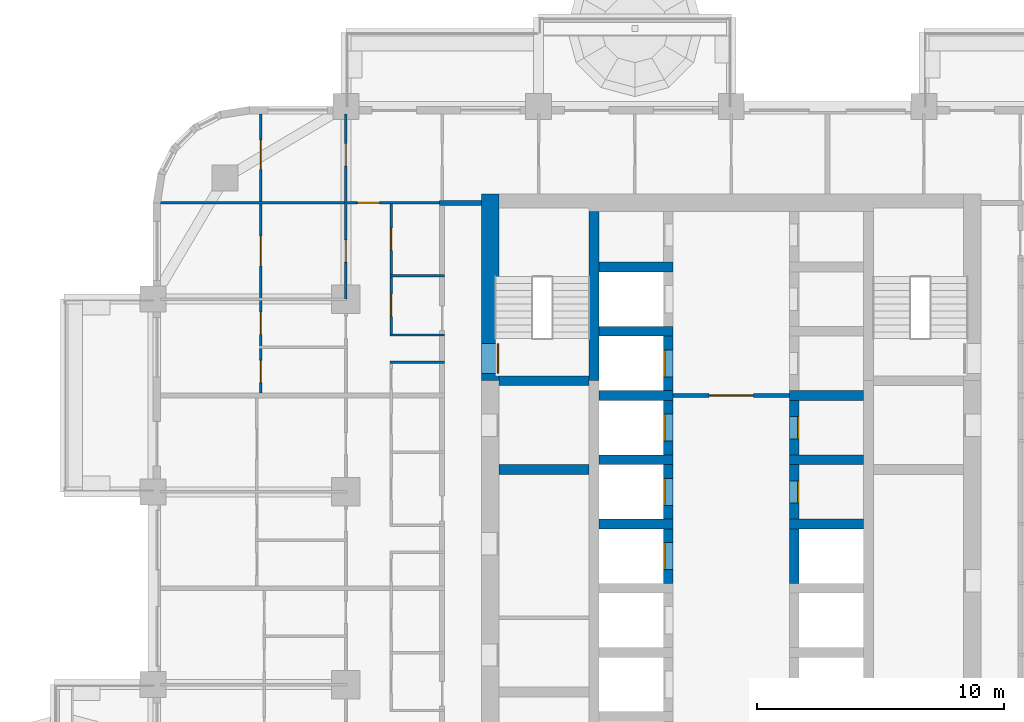
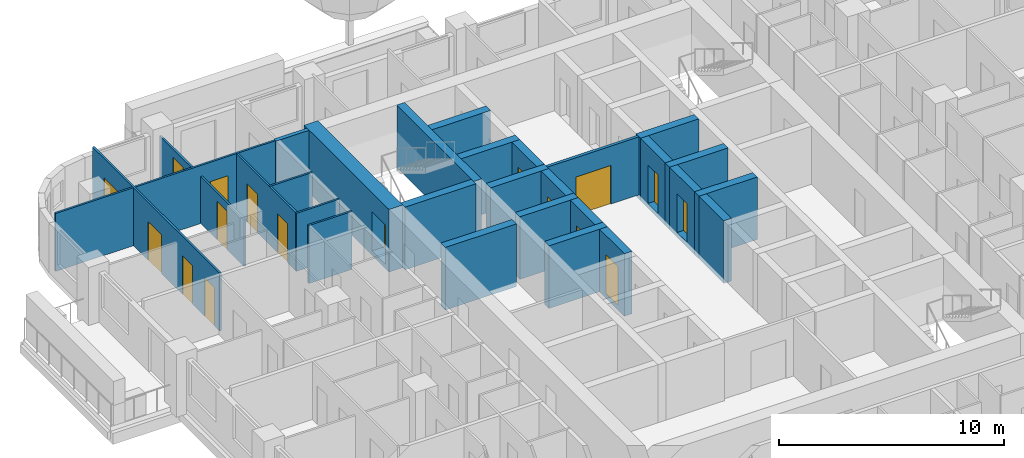
# One storey, part 10 of 18: 28 walls, 17 doors, 17 openings.
"""IFC4 building model written with IfcOpenShell, lengths in metres."""

from ifc_helpers import new_model, si_unit, direction, frame, frame_2d, origin, place, context, subcontext, project, spatial, rectangle, extrude, material, layer, layer_set, type_object, element, fill, save


model = new_model("IFC4")

# Units and contexts
model_context = context("Model", 3, precision=1e-05, world=origin(), true_north=direction((0.0, 1.0)))
body_context = subcontext(model_context, "Body", "Model", "MODEL_VIEW")
ifc_project = project(units=[si_unit("LENGTHUNIT", "METRE"), si_unit("AREAUNIT", "SQUARE_METRE"), si_unit("VOLUMEUNIT", "CUBIC_METRE"), si_unit("PLANEANGLEUNIT", "RADIAN"), si_unit("MASSUNIT", "GRAM", prefix="KILO")], contexts=[model_context])

# Site, building, storey
site_placement = place(None, origin())
site = spatial("IfcSite", under=ifc_project, at=site_placement, CompositionType="ELEMENT")
building_placement = place(site_placement, origin())
building = spatial("IfcBuilding", under=site, at=building_placement, Name="Ludao Terraces", CompositionType="ELEMENT")
storey_placement = place(building_placement, frame((0.0, 0.0, 26.300048828125)))
storey = spatial("IfcBuildingStorey", under=building, at=storey_placement, Name="L06", CompositionType="ELEMENT", Elevation=26.300048828125)

# Wall, opening, door
ifc_material_1 = material(Name="Concrete C70", Category="concrete")
ifc_layer_1 = layer(ifc_material_1, 0.699951171875)
ifc_layer_set_1 = layer_set([ifc_layer_1], Name="Core wall 700 C70")
wall_type_1 = type_object("IfcWallType", Name="Core wall 700 C70", PredefinedType="SOLIDWALL", material=ifc_layer_set_1)
wall_1_placement = place(storey_placement, frame((75.25, 77.300048828125, -0.25), z_axis=(0.0, 0.0, 1.0), x_axis=(0.0, 1.0, 0.0)))
wall_1 = element("IfcWall", 1, at=wall_1_placement, inside=storey, type_object=wall_type_1, Name="Core wall L06 outer-W-S1", PredefinedType="SOLIDWALL", context=body_context, shape_type="SweptSolid", body=[
    extrude(rectangle(XDim=7.550048828125, YDim=0.699951171875, at=frame_2d((3.77490234375, 0.0))), origin(), (0.0, 0.0, 1.0), 3.39990234375),
])
opening_1_placement = place(wall_1_placement, frame((0.300048828125, 0.0, 0.25)))
opening_1 = element("IfcOpeningElement", 2, at=opening_1_placement, cuts=wall_1, Name="Opening R01-127", PredefinedType="OPENING", context=body_context, shape_type="SweptSolid", body=[
    extrude(rectangle(XDim=1.199951171875, YDim=2.10009765625, at=frame_2d((0.60009765625, 1.050048828125))), frame((0.0, 0.35986328125, 0.0), z_axis=(0.0, -1.0, 0.0), x_axis=(1.0, 0.0, 0.0)), (0.0, 0.0, 1.0), 0.719970703125),
])
ifc_material_2 = material(Name="Steel Q235", Category="steel")
door_type_1 = type_object("IfcDoorType", Name="INT Stair door 1200", OperationType="DOUBLE_DOOR_SINGLE_SWING", PredefinedType="DOOR", material=ifc_material_2)
door_1_placement = place(opening_1_placement, origin())
door_1 = element("IfcDoor", 3, at=door_1_placement, inside=storey, type_object=door_type_1, Name="DOOR 127", OperationType="DOUBLE_DOOR_SINGLE_SWING", OverallHeight=2.10009765625, OverallWidth=1.199951171875, PredefinedType="DOOR", context=body_context, shape_type="SweptSolid", body=[
    extrude(rectangle(XDim=1.199951171875, YDim=2.10009765625, at=frame_2d((0.60009765625, 1.050048828125))), frame((0.0, -0.28515625, 0.0), z_axis=(0.0, -1.0, 0.0), x_axis=(1.0, 0.0, 0.0)), (0.0, 0.0, 1.0), 0.050048828125),
])
fill(opening_1, door_1)

ifc_material_3 = material(Name="Fire-rated gypsum plasterboard", Category="gypsum")
ifc_layer_2 = layer(ifc_material_3, 0.012451171875, Category="gypsum")
ifc_material_4 = material(Name="Mineral wool")
ifc_layer_3 = layer(ifc_material_4, 0.10009765625, Name="insulation")
ifc_layer_4 = layer(ifc_material_2, 0.02490234375, Name="stud")
ifc_layer_5 = layer(ifc_material_3, 0.012451171875, Category="gypsum")
ifc_layer_set_2 = layer_set([ifc_layer_2, ifc_layer_3, ifc_layer_4, ifc_layer_5], Name="INT Core partition 150")
wall_type_2 = type_object("IfcWallType", Name="INT Core partition 150", PredefinedType="PARTITIONING", material=ifc_layer_set_2)
wall_2_placement = place(storey_placement, frame((82.650146484375, 76.699951171875, 0.0), z_axis=(0.0, 0.0, 1.0), x_axis=(1.0, 0.0, 0.0)))
wall_2 = element("IfcWall", 4, at=wall_2_placement, inside=storey, type_object=wall_type_2, Name="PW-L06-PW058", PredefinedType="PARTITIONING", context=body_context, shape_type="SweptSolid", body=[
    extrude(rectangle(XDim=4.699951171875, YDim=0.14990234375, at=frame_2d((2.35009765625, 0.0))), origin(), (0.0, 0.0, 1.0), 3.14990234375),
])
opening_2_placement = place(wall_2_placement, frame((1.449951171875, 0.0, 0.0)))
opening_2 = element("IfcOpeningElement", 5, at=opening_2_placement, cuts=wall_2, Name="Opening R01-121", PredefinedType="OPENING", context=body_context, shape_type="SweptSolid", body=[
    extrude(rectangle(XDim=1.800048828125, YDim=2.10009765625, at=frame_2d((0.89990234375, 1.050048828125))), frame((0.0, 0.0849609375, 0.0), z_axis=(0.0, -1.0, 0.0), x_axis=(1.0, 0.0, 0.0)), (0.0, 0.0, 1.0), 0.169921875),
])
door_type_2 = type_object("IfcDoorType", Name="INT Fire lobby door 1800", OperationType="DOUBLE_DOOR_SINGLE_SWING", PredefinedType="DOOR", material=ifc_material_2)
door_2_placement = place(opening_2_placement, origin())
door_2 = element("IfcDoor", 6, at=door_2_placement, inside=storey, type_object=door_type_2, Name="DOOR 121", OperationType="DOUBLE_DOOR_SINGLE_SWING", OverallHeight=2.10009765625, OverallWidth=1.800048828125, PredefinedType="DOOR", context=body_context, shape_type="SweptSolid", body=[
    extrude(rectangle(XDim=1.800048828125, YDim=2.10009765625, at=frame_2d((0.89990234375, 1.050048828125))), frame((0.0, 0.02490234375, 0.0), z_axis=(0.0, -1.0, 0.0), x_axis=(1.0, 0.0, 0.0)), (0.0, 0.0, 1.0), 0.050048828125),
])
fill(opening_2, door_2)

# Walls
ifc_material_5 = material(Name="Autoclaved aerated concrete block B06 A3.5", Category="concrete")
ifc_layer_6 = layer(ifc_material_5, 0.199951171875)
ifc_layer_set_3 = layer_set([ifc_layer_6], Name="INT Entrance wall 200")
wall_type_3 = type_object("IfcWallType", Name="INT Entrance wall 200", PredefinedType="PARTITIONING", material=ifc_layer_set_3)
wall_3_placement = place(storey_placement, frame((73.2001953125, 84.5, 0.0), z_axis=(0.0, 0.0, 1.0), x_axis=(1.0, 0.0, 0.0)))
element("IfcWall", 7, at=wall_3_placement, inside=storey, type_object=wall_type_3, Name="PW-L06-PW070", PredefinedType="PARTITIONING", context=body_context, shape_type="SweptSolid", body=[
    extrude(rectangle(XDim=1.699951171875, YDim=0.199951171875, at=frame_2d((0.85009765625, 0.0))), origin(), (0.0, 0.0, 1.0), 3.14990234375),
])
ifc_material_6 = material(Name="Gypsum plasterboard", Category="gypsum")
ifc_layer_7 = layer(ifc_material_6, 0.012451171875, Category="gypsum")
ifc_layer_8 = layer(ifc_material_4, 0.06005859375, Name="insulation")
ifc_layer_9 = layer(ifc_material_2, 0.014892578125, Name="stud")
ifc_layer_10 = layer(ifc_material_6, 0.012451171875, Category="gypsum")
ifc_layer_set_4 = layer_set([ifc_layer_7, ifc_layer_8, ifc_layer_9, ifc_layer_10], Name="INT Partition 100")
wall_type_4 = type_object("IfcWallType", Name="INT Partition 100", PredefinedType="PARTITIONING", material=ifc_layer_set_4)
for number, where, z_axis, x_axis, name in (
    (8, (71.18017578125, 78.050048828125, 0.0), (0.0, 0.0, 1.0), (1.0, 0.0, 0.0), "PW-L06-PW060"),
    (9, (71.18017578125, 79.14990234375, 0.0), (0.0, 0.0, 1.0), (1.0, 0.0, 0.0), "PW-L06-PW063"),
    (10, (71.18017578125, 81.550048828125, 0.0), (0.0, 0.0, 1.0), (1.0, 0.0, 0.0), "PW-L06-PW067"),
):
    element("IfcWall", number, at=place(storey_placement, frame(where, z_axis=z_axis, x_axis=x_axis)), inside=storey, type_object=wall_type_4, Name=name, PredefinedType="PARTITIONING", context=body_context, shape_type="SweptSolid", body=[
        extrude(rectangle(XDim=2.219970703125, YDim=0.10009765625, at=frame_2d((1.10986328125, 0.0))), origin(), (0.0, 0.0, 1.0), 3.14990234375),
    ])

# Wall, opening, door
wall_4_placement = place(storey_placement, frame((61.900146484375, 84.5, 0.0), z_axis=(0.0, 0.0, 1.0), x_axis=(1.0, 0.0, 0.0)))
wall_4 = element("IfcWall", 11, at=wall_4_placement, inside=storey, type_object=wall_type_4, Name="PW-L06-PW069", PredefinedType="PARTITIONING", context=body_context, shape_type="SweptSolid", body=[
    extrude(rectangle(XDim=11.5, YDim=0.10009765625, at=frame_2d((5.75, 0.0))), origin(), (0.0, 0.0, 1.0), 3.14990234375),
])
opening_3_placement = place(wall_4_placement, frame((7.965087890625, 0.0, 0.0)))
opening_3 = element("IfcOpeningElement", 12, at=opening_3_placement, cuts=wall_4, Name="Opening R01-147", PredefinedType="OPENING", context=body_context, shape_type="SweptSolid", body=[
    extrude(rectangle(XDim=0.89990234375, YDim=2.10009765625, at=frame_2d((0.449951171875, 1.050048828125))), frame((0.0, 0.06005859375, 0.0), z_axis=(0.0, -1.0, 0.0), x_axis=(1.0, 0.0, 0.0)), (0.0, 0.0, 1.0), 0.1201171875),
])
ifc_material_7 = material(Name="Timber door leaf", Category="wood")
door_type_3 = type_object("IfcDoorType", Name="INT Room door 900", OperationType="SINGLE_SWING_LEFT", PredefinedType="DOOR", material=ifc_material_7)
door_3_placement = place(opening_3_placement, origin())
door_3 = element("IfcDoor", 13, at=door_3_placement, inside=storey, type_object=door_type_3, Name="DOOR 147", OperationType="SINGLE_SWING_RIGHT", OverallHeight=2.10009765625, OverallWidth=0.89990234375, PredefinedType="DOOR", context=body_context, shape_type="SweptSolid", body=[
    extrude(rectangle(XDim=0.89990234375, YDim=2.10009765625, at=frame_2d((0.449951171875, 1.050048828125))), frame((0.0, 0.02490234375, 0.0), z_axis=(0.0, -1.0, 0.0), x_axis=(1.0, 0.0, 0.0)), (0.0, 0.0, 1.0), 0.050048828125),
])
fill(opening_3, door_3)

# Wall, openings, doors
wall_5_placement = place(storey_placement, frame((65.949951171875, 76.800048828125, 0.0), z_axis=(0.0, 0.0, 1.0), x_axis=(0.0, 1.0, 0.0)))
wall_5 = element("IfcWall", 14, at=wall_5_placement, inside=storey, type_object=wall_type_4, Name="PW-L06-PW075", PredefinedType="PARTITIONING", context=body_context, shape_type="SweptSolid", body=[
    extrude(rectangle(XDim=11.300048828125, YDim=0.10009765625, at=frame_2d((5.64990234375, 0.0))), origin(), (0.0, 0.0, 1.0), 3.14990234375),
])
opening_4_placement = place(wall_5_placement, frame((0.425048828125, 0.0, 0.0)))
opening_4 = element("IfcOpeningElement", 15, at=opening_4_placement, cuts=wall_5, Name="Opening R01-123", PredefinedType="OPENING", context=body_context, shape_type="SweptSolid", body=[
    extrude(rectangle(XDim=0.89990234375, YDim=2.10009765625, at=frame_2d((0.449951171875, 1.050048828125))), frame((0.0, 0.06005859375, 0.0), z_axis=(0.0, -1.0, 0.0), x_axis=(1.0, 0.0, 0.0)), (0.0, 0.0, 1.0), 0.1201171875),
])
opening_5_placement = place(wall_5_placement, frame((2.375, 0.0, 0.0)))
opening_5 = element("IfcOpeningElement", 16, at=opening_5_placement, cuts=wall_5, Name="Opening R01-132", PredefinedType="OPENING", context=body_context, shape_type="SweptSolid", body=[
    extrude(rectangle(XDim=0.89990234375, YDim=2.10009765625, at=frame_2d((0.449951171875, 1.050048828125))), frame((0.0, 0.06005859375, 0.0), z_axis=(0.0, -1.0, 0.0), x_axis=(1.0, 0.0, 0.0)), (0.0, 0.0, 1.0), 0.1201171875),
])
opening_6_placement = place(wall_5_placement, frame((5.14990234375, 0.0, 0.0)))
opening_6 = element("IfcOpeningElement", 17, at=opening_6_placement, cuts=wall_5, Name="Opening R01-138", PredefinedType="OPENING", context=body_context, shape_type="SweptSolid", body=[
    extrude(rectangle(XDim=1.199951171875, YDim=2.10009765625, at=frame_2d((0.60009765625, 1.050048828125))), frame((0.0, 0.06005859375, 0.0), z_axis=(0.0, -1.0, 0.0), x_axis=(1.0, 0.0, 0.0)), (0.0, 0.0, 1.0), 0.1201171875),
])
opening_7_placement = place(wall_5_placement, frame((9.050048828125, 0.0, 0.0)))
opening_7 = element("IfcOpeningElement", 18, at=opening_7_placement, cuts=wall_5, Name="Opening R01-149", PredefinedType="OPENING", context=body_context, shape_type="SweptSolid", body=[
    extrude(rectangle(XDim=1.199951171875, YDim=2.10009765625, at=frame_2d((0.60009765625, 1.050048828125))), frame((0.0, 0.06005859375, 0.0), z_axis=(0.0, -1.0, 0.0), x_axis=(1.0, 0.0, 0.0)), (0.0, 0.0, 1.0), 0.1201171875),
])
door_type_4 = type_object("IfcDoorType", Name="INT Bathroom door 900", OperationType="SINGLE_SWING_LEFT", PredefinedType="DOOR", material=ifc_material_7)
door_4_placement = place(opening_4_placement, origin())
door_4 = element("IfcDoor", 19, at=door_4_placement, inside=storey, type_object=door_type_4, Name="DOOR 123", OperationType="SINGLE_SWING_RIGHT", OverallHeight=2.10009765625, OverallWidth=0.89990234375, PredefinedType="DOOR", context=body_context, shape_type="SweptSolid", body=[
    extrude(rectangle(XDim=0.89990234375, YDim=2.10009765625, at=frame_2d((0.449951171875, 1.050048828125))), frame((0.0, 0.02490234375, 0.0), z_axis=(0.0, -1.0, 0.0), x_axis=(1.0, 0.0, 0.0)), (0.0, 0.0, 1.0), 0.050048828125),
])
fill(opening_4, door_4)
door_type_5 = type_object("IfcDoorType", Name="INT Double door 1200", OperationType="DOUBLE_DOOR_SINGLE_SWING", PredefinedType="DOOR", material=ifc_material_7)
door_5_placement = place(opening_6_placement, origin())
door_5 = element("IfcDoor", 20, at=door_5_placement, inside=storey, type_object=door_type_5, Name="DOOR 138", OperationType="DOUBLE_DOOR_SINGLE_SWING", OverallHeight=2.10009765625, OverallWidth=1.199951171875, PredefinedType="DOOR", context=body_context, shape_type="SweptSolid", body=[
    extrude(rectangle(XDim=1.199951171875, YDim=2.10009765625, at=frame_2d((0.60009765625, 1.050048828125))), frame((0.0, 0.02490234375, 0.0), z_axis=(0.0, -1.0, 0.0), x_axis=(1.0, 0.0, 0.0)), (0.0, 0.0, 1.0), 0.050048828125),
])
fill(opening_6, door_5)
door_6_placement = place(opening_7_placement, origin())
door_6 = element("IfcDoor", 21, at=door_6_placement, inside=storey, type_object=door_type_5, Name="DOOR 149", OperationType="DOUBLE_DOOR_SINGLE_SWING", OverallHeight=2.10009765625, OverallWidth=1.199951171875, PredefinedType="DOOR", context=body_context, shape_type="SweptSolid", body=[
    extrude(rectangle(XDim=1.199951171875, YDim=2.10009765625, at=frame_2d((0.60009765625, 1.050048828125))), frame((0.0, 0.02490234375, 0.0), z_axis=(0.0, -1.0, 0.0), x_axis=(1.0, 0.0, 0.0)), (0.0, 0.0, 1.0), 0.050048828125),
])
fill(opening_7, door_6)
door_7_placement = place(opening_5_placement, origin())
door_7 = element("IfcDoor", 22, at=door_7_placement, inside=storey, type_object=door_type_3, Name="DOOR 132", OperationType="SINGLE_SWING_RIGHT", OverallHeight=2.10009765625, OverallWidth=0.89990234375, PredefinedType="DOOR", context=body_context, shape_type="SweptSolid", body=[
    extrude(rectangle(XDim=0.89990234375, YDim=2.10009765625, at=frame_2d((0.449951171875, 1.050048828125))), frame((0.0, 0.02490234375, 0.0), z_axis=(0.0, -1.0, 0.0), x_axis=(1.0, 0.0, 0.0)), (0.0, 0.0, 1.0), 0.050048828125),
])
fill(opening_5, door_7)

wall_6_placement = place(storey_placement, frame((69.39990234375, 80.60009765625, 0.0), z_axis=(0.0, 0.0, 1.0), x_axis=(0.0, 1.0, 0.0)))
wall_6 = element("IfcWall", 23, at=wall_6_placement, inside=storey, type_object=wall_type_4, Name="PW-L06-PW077-3", PredefinedType="PARTITIONING", context=body_context, shape_type="SweptSolid", body=[
    extrude(rectangle(XDim=7.5, YDim=0.10009765625, at=frame_2d((3.75, 0.0))), origin(), (0.0, 0.0, 1.0), 2.5498046875),
])
opening_8_placement = place(wall_6_placement, frame((1.5, 0.0, 0.0)))
opening_8 = element("IfcOpeningElement", 24, at=opening_8_placement, cuts=wall_6, Name="Opening R01-139", PredefinedType="OPENING", context=body_context, shape_type="SweptSolid", body=[
    extrude(rectangle(XDim=0.89990234375, YDim=2.10009765625, at=frame_2d((0.449951171875, 1.050048828125))), frame((0.0, 0.06005859375, 0.0), z_axis=(0.0, -1.0, 0.0), x_axis=(1.0, 0.0, 0.0)), (0.0, 0.0, 1.0), 0.1201171875),
])
opening_9_placement = place(wall_6_placement, frame((5.39990234375, 0.0, 0.0)))
opening_9 = element("IfcOpeningElement", 25, at=opening_9_placement, cuts=wall_6, Name="Opening R01-150", PredefinedType="OPENING", context=body_context, shape_type="SweptSolid", body=[
    extrude(rectangle(XDim=0.89990234375, YDim=2.10009765625, at=frame_2d((0.449951171875, 1.050048828125))), frame((0.0, 0.06005859375, 0.0), z_axis=(0.0, -1.0, 0.0), x_axis=(1.0, 0.0, 0.0)), (0.0, 0.0, 1.0), 0.1201171875),
])
door_8_placement = place(opening_8_placement, origin())
door_8 = element("IfcDoor", 26, at=door_8_placement, inside=storey, type_object=door_type_3, Name="DOOR 139", OperationType="SINGLE_SWING_LEFT", OverallHeight=2.10009765625, OverallWidth=0.89990234375, PredefinedType="DOOR", context=body_context, shape_type="SweptSolid", body=[
    extrude(rectangle(XDim=0.89990234375, YDim=2.10009765625, at=frame_2d((0.449951171875, 1.050048828125))), frame((0.0, 0.02490234375, 0.0), z_axis=(0.0, -1.0, 0.0), x_axis=(1.0, 0.0, 0.0)), (0.0, 0.0, 1.0), 0.050048828125),
])
fill(opening_8, door_8)
door_9_placement = place(opening_9_placement, origin())
door_9 = element("IfcDoor", 27, at=door_9_placement, inside=storey, type_object=door_type_3, Name="DOOR 150", OperationType="SINGLE_SWING_RIGHT", OverallHeight=2.10009765625, OverallWidth=0.89990234375, PredefinedType="DOOR", context=body_context, shape_type="SweptSolid", body=[
    extrude(rectangle(XDim=0.89990234375, YDim=2.10009765625, at=frame_2d((0.449951171875, 1.050048828125))), frame((0.0, 0.02490234375, 0.0), z_axis=(0.0, -1.0, 0.0), x_axis=(1.0, 0.0, 0.0)), (0.0, 0.0, 1.0), 0.050048828125),
])
fill(opening_9, door_9)

wall_7_placement = place(storey_placement, frame((71.22998046875, 79.2001953125, 0.0), z_axis=(0.0, 0.0, 1.0), x_axis=(0.0, 1.0, 0.0)))
wall_7 = element("IfcWall", 28, at=wall_7_placement, inside=storey, type_object=wall_type_4, Name="PW-L06-PW082", PredefinedType="PARTITIONING", context=body_context, shape_type="SweptSolid", body=[
    extrude(rectangle(XDim=5.25, YDim=0.10009765625, at=frame_2d((2.625, 0.0))), origin(), (0.0, 0.0, 1.0), 3.14990234375),
])
opening_10_placement = place(wall_7_placement, frame((0.699951171875, 0.0, 0.0)))
opening_10 = element("IfcOpeningElement", 29, at=opening_10_placement, cuts=wall_7, Name="Opening R01-135", PredefinedType="OPENING", context=body_context, shape_type="SweptSolid", body=[
    extrude(rectangle(XDim=0.89990234375, YDim=2.10009765625, at=frame_2d((0.449951171875, 1.050048828125))), frame((0.0, 0.06005859375, 0.0), z_axis=(0.0, -1.0, 0.0), x_axis=(1.0, 0.0, 0.0)), (0.0, 0.0, 1.0), 0.1201171875),
])
opening_11_placement = place(wall_7_placement, frame((3.375, 0.0, 0.0)))
opening_11 = element("IfcOpeningElement", 30, at=opening_11_placement, cuts=wall_7, Name="Opening R01-143", PredefinedType="OPENING", context=body_context, shape_type="SweptSolid", body=[
    extrude(rectangle(XDim=0.89990234375, YDim=2.10009765625, at=frame_2d((0.449951171875, 1.050048828125))), frame((0.0, 0.06005859375, 0.0), z_axis=(0.0, -1.0, 0.0), x_axis=(1.0, 0.0, 0.0)), (0.0, 0.0, 1.0), 0.1201171875),
])
door_10_placement = place(opening_10_placement, origin())
door_10 = element("IfcDoor", 31, at=door_10_placement, inside=storey, type_object=door_type_4, Name="DOOR 135", OperationType="SINGLE_SWING_RIGHT", OverallHeight=2.10009765625, OverallWidth=0.89990234375, PredefinedType="DOOR", context=body_context, shape_type="SweptSolid", body=[
    extrude(rectangle(XDim=0.89990234375, YDim=2.10009765625, at=frame_2d((0.449951171875, 1.050048828125))), frame((0.0, 0.02490234375, 0.0), z_axis=(0.0, -1.0, 0.0), x_axis=(1.0, 0.0, 0.0)), (0.0, 0.0, 1.0), 0.050048828125),
])
fill(opening_10, door_10)
door_11_placement = place(opening_11_placement, origin())
door_11 = element("IfcDoor", 32, at=door_11_placement, inside=storey, type_object=door_type_3, Name="DOOR 143", OperationType="SINGLE_SWING_RIGHT", OverallHeight=2.10009765625, OverallWidth=0.89990234375, PredefinedType="DOOR", context=body_context, shape_type="SweptSolid", body=[
    extrude(rectangle(XDim=0.89990234375, YDim=2.10009765625, at=frame_2d((0.449951171875, 1.050048828125))), frame((0.0, 0.02490234375, 0.0), z_axis=(0.0, -1.0, 0.0), x_axis=(1.0, 0.0, 0.0)), (0.0, 0.0, 1.0), 0.050048828125),
])
fill(opening_11, door_11)

# Wall
ifc_material_8 = material(Name="Concrete C60", Category="concrete")
ifc_layer_11 = layer(ifc_material_8, 0.39990234375)
ifc_layer_set_5 = layer_set([ifc_layer_11], Name="Shaft wall 400 C60")
wall_type_5 = type_object("IfcWallType", Name="Shaft wall 400 C60", PredefinedType="SOLIDWALL", material=ifc_layer_set_5)
wall_8_placement = place(storey_placement, frame((79.449951171875, 77.300048828125, -0.25), z_axis=(0.0, 0.0, 1.0), x_axis=(0.0, 1.0, 0.0)))
element("IfcWall", 33, at=wall_8_placement, inside=storey, type_object=wall_type_5, Name="Core wall L06 back-W-S1", PredefinedType="SOLIDWALL", context=body_context, shape_type="SweptSolid", body=[
    extrude(rectangle(XDim=6.849853515625, YDim=0.39990234375, at=frame_2d((3.4248046875, 0.0))), origin(), (0.0, 0.0, 1.0), 3.39990234375),
])

# Wall, opening, door
wall_9_placement = place(storey_placement, frame((82.449951171875, 69.10009765625, -0.25), z_axis=(0.0, 0.0, 1.0), x_axis=(0.0, 1.0, 0.0)))
wall_9 = element("IfcWall", 34, at=wall_9_placement, inside=storey, type_object=wall_type_5, Name="Core wall L06 front-W4", PredefinedType="SOLIDWALL", context=body_context, shape_type="SweptSolid", body=[
    extrude(rectangle(XDim=2.199951171875, YDim=0.39990234375, at=frame_2d((1.10009765625, 0.0))), origin(), (0.0, 0.0, 1.0), 3.39990234375),
])
opening_12_placement = place(wall_9_placement, frame((0.550048828125, 0.0, 0.25)))
opening_12 = element("IfcOpeningElement", 35, at=opening_12_placement, cuts=wall_9, Name="Opening LD-LA4", PredefinedType="OPENING", context=body_context, shape_type="SweptSolid", body=[
    extrude(rectangle(XDim=1.10009765625, YDim=2.10009765625, at=frame_2d((0.550048828125, 1.050048828125))), frame((0.0, 0.2099609375, 0.0), z_axis=(0.0, -1.0, 0.0), x_axis=(1.0, 0.0, 0.0)), (0.0, 0.0, 1.0), 0.419921875),
])
ifc_material_9 = material(Name="Stainless steel 304", Category="steel")
door_type_6 = type_object("IfcDoorType", Name="INT Lift landing door 1100", OperationType="SLIDING_TO_LEFT", PredefinedType="DOOR", material=ifc_material_9)
door_12_placement = place(opening_12_placement, origin())
door_12 = element("IfcDoor", 36, at=door_12_placement, inside=storey, type_object=door_type_6, Name="LANDING DOOR LA4 L06", OperationType="SLIDING_TO_LEFT", OverallHeight=2.10009765625, OverallWidth=1.10009765625, PredefinedType="DOOR", context=body_context, shape_type="SweptSolid", body=[
    extrude(rectangle(XDim=1.10009765625, YDim=2.10009765625, at=frame_2d((0.550048828125, 1.050048828125))), frame((0.0, 0.18505859375, 0.0), z_axis=(0.0, -1.0, 0.0), x_axis=(1.0, 0.0, 0.0)), (0.0, 0.0, 1.0), 0.050048828125),
])
fill(opening_12, door_12)

# Wall
wall_10_placement = place(storey_placement, frame((79.64990234375, 71.5, -0.25), z_axis=(0.0, 0.0, 1.0), x_axis=(1.0, 0.0, 0.0)))
element("IfcWall", 37, at=wall_10_placement, inside=storey, type_object=wall_type_5, Name="Core wall L06 div-W5", PredefinedType="SOLIDWALL", context=body_context, shape_type="SweptSolid", body=[
    extrude(rectangle(XDim=3.0, YDim=0.39990234375, at=frame_2d((1.5, 0.0))), origin(), (0.0, 0.0, 1.0), 3.39990234375),
])

# Wall, opening, door
wall_11_placement = place(storey_placement, frame((82.449951171875, 71.699951171875, -0.25), z_axis=(0.0, 0.0, 1.0), x_axis=(0.0, 1.0, 0.0)))
wall_11 = element("IfcWall", 38, at=wall_11_placement, inside=storey, type_object=wall_type_5, Name="Core wall L06 front-W5", PredefinedType="SOLIDWALL", context=body_context, shape_type="SweptSolid", body=[
    extrude(rectangle(XDim=2.199951171875, YDim=0.39990234375, at=frame_2d((1.10009765625, 0.0))), origin(), (0.0, 0.0, 1.0), 3.39990234375),
])
opening_13_placement = place(wall_11_placement, frame((0.550048828125, 0.0, 0.25)))
opening_13 = element("IfcOpeningElement", 39, at=opening_13_placement, cuts=wall_11, Name="Opening LD-LA5", PredefinedType="OPENING", context=body_context, shape_type="SweptSolid", body=[
    extrude(rectangle(XDim=1.10009765625, YDim=2.10009765625, at=frame_2d((0.550048828125, 1.050048828125))), frame((0.0, 0.2099609375, 0.0), z_axis=(0.0, -1.0, 0.0), x_axis=(1.0, 0.0, 0.0)), (0.0, 0.0, 1.0), 0.419921875),
])
door_13_placement = place(opening_13_placement, origin())
door_13 = element("IfcDoor", 40, at=door_13_placement, inside=storey, type_object=door_type_6, Name="LANDING DOOR LA5 L06", OperationType="SLIDING_TO_LEFT", OverallHeight=2.10009765625, OverallWidth=1.10009765625, PredefinedType="DOOR", context=body_context, shape_type="SweptSolid", body=[
    extrude(rectangle(XDim=1.10009765625, YDim=2.10009765625, at=frame_2d((0.550048828125, 1.050048828125))), frame((0.0, 0.18505859375, 0.0), z_axis=(0.0, -1.0, 0.0), x_axis=(1.0, 0.0, 0.0)), (0.0, 0.0, 1.0), 0.050048828125),
])
fill(opening_13, door_13)

# Wall
wall_12_placement = place(storey_placement, frame((79.64990234375, 74.10009765625, -0.25), z_axis=(0.0, 0.0, 1.0), x_axis=(1.0, 0.0, 0.0)))
element("IfcWall", 41, at=wall_12_placement, inside=storey, type_object=wall_type_5, Name="Core wall L06 div-W6", PredefinedType="SOLIDWALL", context=body_context, shape_type="SweptSolid", body=[
    extrude(rectangle(XDim=3.0, YDim=0.39990234375, at=frame_2d((1.5, 0.0))), origin(), (0.0, 0.0, 1.0), 3.39990234375),
])

# Wall, opening, door
wall_13_placement = place(storey_placement, frame((82.449951171875, 74.300048828125, -0.25), z_axis=(0.0, 0.0, 1.0), x_axis=(0.0, 1.0, 0.0)))
wall_13 = element("IfcWall", 42, at=wall_13_placement, inside=storey, type_object=wall_type_5, Name="Core wall L06 front-W6", PredefinedType="SOLIDWALL", context=body_context, shape_type="SweptSolid", body=[
    extrude(rectangle(XDim=2.199951171875, YDim=0.39990234375, at=frame_2d((1.10009765625, 0.0))), origin(), (0.0, 0.0, 1.0), 3.39990234375),
])
opening_14_placement = place(wall_13_placement, frame((0.550048828125, 0.0, 0.25)))
opening_14 = element("IfcOpeningElement", 43, at=opening_14_placement, cuts=wall_13, Name="Opening LD-LA6", PredefinedType="OPENING", context=body_context, shape_type="SweptSolid", body=[
    extrude(rectangle(XDim=1.10009765625, YDim=2.10009765625, at=frame_2d((0.550048828125, 1.050048828125))), frame((0.0, 0.2099609375, 0.0), z_axis=(0.0, -1.0, 0.0), x_axis=(1.0, 0.0, 0.0)), (0.0, 0.0, 1.0), 0.419921875),
])
door_14_placement = place(opening_14_placement, origin())
door_14 = element("IfcDoor", 44, at=door_14_placement, inside=storey, type_object=door_type_6, Name="LANDING DOOR LA6 L06", OperationType="SLIDING_TO_LEFT", OverallHeight=2.10009765625, OverallWidth=1.10009765625, PredefinedType="DOOR", context=body_context, shape_type="SweptSolid", body=[
    extrude(rectangle(XDim=1.10009765625, YDim=2.10009765625, at=frame_2d((0.550048828125, 1.050048828125))), frame((0.0, 0.18505859375, 0.0), z_axis=(0.0, -1.0, 0.0), x_axis=(1.0, 0.0, 0.0)), (0.0, 0.0, 1.0), 0.050048828125),
])
fill(opening_14, door_14)

# Wall
wall_14_placement = place(storey_placement, frame((79.64990234375, 76.699951171875, -0.25), z_axis=(0.0, 0.0, 1.0), x_axis=(1.0, 0.0, 0.0)))
element("IfcWall", 45, at=wall_14_placement, inside=storey, type_object=wall_type_5, Name="Core wall L06 div-W7", PredefinedType="SOLIDWALL", context=body_context, shape_type="SweptSolid", body=[
    extrude(rectangle(XDim=3.0, YDim=0.39990234375, at=frame_2d((1.5, 0.0))), origin(), (0.0, 0.0, 1.0), 3.39990234375),
])

# Wall, opening, door
wall_15_placement = place(storey_placement, frame((82.449951171875, 76.89990234375, -0.25), z_axis=(0.0, 0.0, 1.0), x_axis=(0.0, 1.0, 0.0)))
wall_15 = element("IfcWall", 46, at=wall_15_placement, inside=storey, type_object=wall_type_5, Name="Core wall L06 front-W7", PredefinedType="SOLIDWALL", context=body_context, shape_type="SweptSolid", body=[
    extrude(rectangle(XDim=2.2001953125, YDim=0.39990234375, at=frame_2d((1.10009765625, 0.0))), origin(), (0.0, 0.0, 1.0), 3.39990234375),
])
opening_15_placement = place(wall_15_placement, frame((0.550048828125, 0.0, 0.25)))
opening_15 = element("IfcOpeningElement", 47, at=opening_15_placement, cuts=wall_15, Name="Opening LD-FF1", PredefinedType="OPENING", context=body_context, shape_type="SweptSolid", body=[
    extrude(rectangle(XDim=1.10009765625, YDim=2.10009765625, at=frame_2d((0.550048828125, 1.050048828125))), frame((0.0, 0.2099609375, 0.0), z_axis=(0.0, -1.0, 0.0), x_axis=(1.0, 0.0, 0.0)), (0.0, 0.0, 1.0), 0.419921875),
])
door_15_placement = place(opening_15_placement, origin())
door_15 = element("IfcDoor", 48, at=door_15_placement, inside=storey, type_object=door_type_6, Name="LANDING DOOR FF1 L06", OperationType="SLIDING_TO_LEFT", OverallHeight=2.10009765625, OverallWidth=1.10009765625, PredefinedType="DOOR", context=body_context, shape_type="SweptSolid", body=[
    extrude(rectangle(XDim=1.10009765625, YDim=2.10009765625, at=frame_2d((0.550048828125, 1.050048828125))), frame((0.0, 0.18505859375, 0.0), z_axis=(0.0, -1.0, 0.0), x_axis=(1.0, 0.0, 0.0)), (0.0, 0.0, 1.0), 0.050048828125),
])
fill(opening_15, door_15)

# Walls
for number, where, z_axis, x_axis, name in (
    (49, (79.64990234375, 79.300048828125, -0.25), (0.0, 0.0, 1.0), (1.0, 0.0, 0.0), "Core wall L06 div-W8"),
    (50, (79.64990234375, 81.89990234375, -0.25), (0.0, 0.0, 1.0), (1.0, 0.0, 0.0), "Core wall L06 div-W9"),
):
    element("IfcWall", number, at=place(storey_placement, frame(where, z_axis=z_axis, x_axis=x_axis)), inside=storey, type_object=wall_type_5, Name=name, PredefinedType="SOLIDWALL", context=body_context, shape_type="SweptSolid", body=[
        extrude(rectangle(XDim=3.0, YDim=0.39990234375, at=frame_2d((1.5, 0.0))), origin(), (0.0, 0.0, 1.0), 3.39990234375),
    ])
wall_16_placement = place(storey_placement, frame((87.550048828125, 69.10009765625, -0.25), z_axis=(0.0, 0.0, 1.0), x_axis=(0.0, 1.0, 0.0)))
element("IfcWall", 51, at=wall_16_placement, inside=storey, type_object=wall_type_5, Name="Core wall L06 front-E4", PredefinedType="SOLIDWALL", context=body_context, shape_type="SweptSolid", body=[
    extrude(rectangle(XDim=2.199951171875, YDim=0.39990234375, at=frame_2d((1.10009765625, 0.0))), origin(), (0.0, 0.0, 1.0), 3.39990234375),
])
wall_17_placement = place(storey_placement, frame((87.35009765625, 71.5, -0.25), z_axis=(0.0, 0.0, 1.0), x_axis=(1.0, 0.0, 0.0)))
element("IfcWall", 52, at=wall_17_placement, inside=storey, type_object=wall_type_5, Name="Core wall L06 div-E5", PredefinedType="SOLIDWALL", context=body_context, shape_type="SweptSolid", body=[
    extrude(rectangle(XDim=3.0, YDim=0.39990234375, at=frame_2d((1.5, 0.0))), origin(), (0.0, 0.0, 1.0), 3.39990234375),
])

# Wall, opening, door
wall_18_placement = place(storey_placement, frame((87.550048828125, 71.699951171875, -0.25), z_axis=(0.0, 0.0, 1.0), x_axis=(0.0, 1.0, 0.0)))
wall_18 = element("IfcWall", 53, at=wall_18_placement, inside=storey, type_object=wall_type_5, Name="Core wall L06 front-E5", PredefinedType="SOLIDWALL", context=body_context, shape_type="SweptSolid", body=[
    extrude(rectangle(XDim=2.199951171875, YDim=0.39990234375, at=frame_2d((1.10009765625, 0.0))), origin(), (0.0, 0.0, 1.0), 3.39990234375),
])
opening_16_placement = place(wall_18_placement, frame((0.64990234375, 0.0, 0.25)))
opening_16 = element("IfcOpeningElement", 54, at=opening_16_placement, cuts=wall_18, Name="Opening R01-108", PredefinedType="OPENING", context=body_context, shape_type="SweptSolid", body=[
    extrude(rectangle(XDim=0.89990234375, YDim=2.10009765625, at=frame_2d((0.449951171875, 1.050048828125))), frame((0.0, 0.2099609375, 0.0), z_axis=(0.0, -1.0, 0.0), x_axis=(1.0, 0.0, 0.0)), (0.0, 0.0, 1.0), 0.419921875),
])
door_16_placement = place(opening_16_placement, origin())
door_16 = element("IfcDoor", 55, at=door_16_placement, inside=storey, type_object=door_type_3, Name="DOOR 108", OperationType="SINGLE_SWING_RIGHT", OverallHeight=2.10009765625, OverallWidth=0.89990234375, PredefinedType="DOOR", context=body_context, shape_type="SweptSolid", body=[
    extrude(rectangle(XDim=0.89990234375, YDim=2.10009765625, at=frame_2d((0.449951171875, 1.050048828125))), frame((0.0, -0.134765625, 0.0), z_axis=(0.0, -1.0, 0.0), x_axis=(1.0, 0.0, 0.0)), (0.0, 0.0, 1.0), 0.050048828125),
])
fill(opening_16, door_16)

# Wall
wall_19_placement = place(storey_placement, frame((87.35009765625, 74.10009765625, -0.25), z_axis=(0.0, 0.0, 1.0), x_axis=(1.0, 0.0, 0.0)))
element("IfcWall", 56, at=wall_19_placement, inside=storey, type_object=wall_type_5, Name="Core wall L06 div-E6", PredefinedType="SOLIDWALL", context=body_context, shape_type="SweptSolid", body=[
    extrude(rectangle(XDim=3.0, YDim=0.39990234375, at=frame_2d((1.5, 0.0))), origin(), (0.0, 0.0, 1.0), 3.39990234375),
])

# Wall, opening, door
wall_20_placement = place(storey_placement, frame((87.550048828125, 74.300048828125, -0.25), z_axis=(0.0, 0.0, 1.0), x_axis=(0.0, 1.0, 0.0)))
wall_20 = element("IfcWall", 57, at=wall_20_placement, inside=storey, type_object=wall_type_5, Name="Core wall L06 front-E6", PredefinedType="SOLIDWALL", context=body_context, shape_type="SweptSolid", body=[
    extrude(rectangle(XDim=2.199951171875, YDim=0.39990234375, at=frame_2d((1.10009765625, 0.0))), origin(), (0.0, 0.0, 1.0), 3.39990234375),
])
opening_17_placement = place(wall_20_placement, frame((0.64990234375, 0.0, 0.25)))
opening_17 = element("IfcOpeningElement", 58, at=opening_17_placement, cuts=wall_20, Name="Opening R01-116", PredefinedType="OPENING", context=body_context, shape_type="SweptSolid", body=[
    extrude(rectangle(XDim=0.89990234375, YDim=2.10009765625, at=frame_2d((0.449951171875, 1.050048828125))), frame((0.0, 0.2099609375, 0.0), z_axis=(0.0, -1.0, 0.0), x_axis=(1.0, 0.0, 0.0)), (0.0, 0.0, 1.0), 0.419921875),
])
door_17_placement = place(opening_17_placement, origin())
door_17 = element("IfcDoor", 59, at=door_17_placement, inside=storey, type_object=door_type_3, Name="DOOR 116", OperationType="SINGLE_SWING_LEFT", OverallHeight=2.10009765625, OverallWidth=0.89990234375, PredefinedType="DOOR", context=body_context, shape_type="SweptSolid", body=[
    extrude(rectangle(XDim=0.89990234375, YDim=2.10009765625, at=frame_2d((0.449951171875, 1.050048828125))), frame((0.0, -0.134765625, 0.0), z_axis=(0.0, -1.0, 0.0), x_axis=(1.0, 0.0, 0.0)), (0.0, 0.0, 1.0), 0.050048828125),
])
fill(opening_17, door_17)

# Walls
wall_21_placement = place(storey_placement, frame((87.35009765625, 76.699951171875, -0.25), z_axis=(0.0, 0.0, 1.0), x_axis=(1.0, 0.0, 0.0)))
element("IfcWall", 60, at=wall_21_placement, inside=storey, type_object=wall_type_5, Name="Core wall L06 div-E7", PredefinedType="SOLIDWALL", context=body_context, shape_type="SweptSolid", body=[
    extrude(rectangle(XDim=3.0, YDim=0.39990234375, at=frame_2d((1.5, 0.0))), origin(), (0.0, 0.0, 1.0), 3.39990234375),
])
for number, where, z_axis, x_axis, name in (
    (61, (75.60009765625, 73.699951171875, -0.25), (0.0, 0.0, 1.0), (1.0, 0.0, 0.0), "Core wall L06 riser-b-W"),
    (62, (75.60009765625, 77.300048828125, -0.25), (0.0, 0.0, 1.0), (1.0, 0.0, 0.0), "Core wall L06 stair-W"),
):
    element("IfcWall", number, at=place(storey_placement, frame(where, z_axis=z_axis, x_axis=x_axis)), inside=storey, type_object=wall_type_5, Name=name, PredefinedType="SOLIDWALL", context=body_context, shape_type="SweptSolid", body=[
        extrude(rectangle(XDim=3.64990234375, YDim=0.39990234375, at=frame_2d((1.824951171875, 0.0))), origin(), (0.0, 0.0, 1.0), 3.39990234375),
    ])

save(model, "model.ifc")
